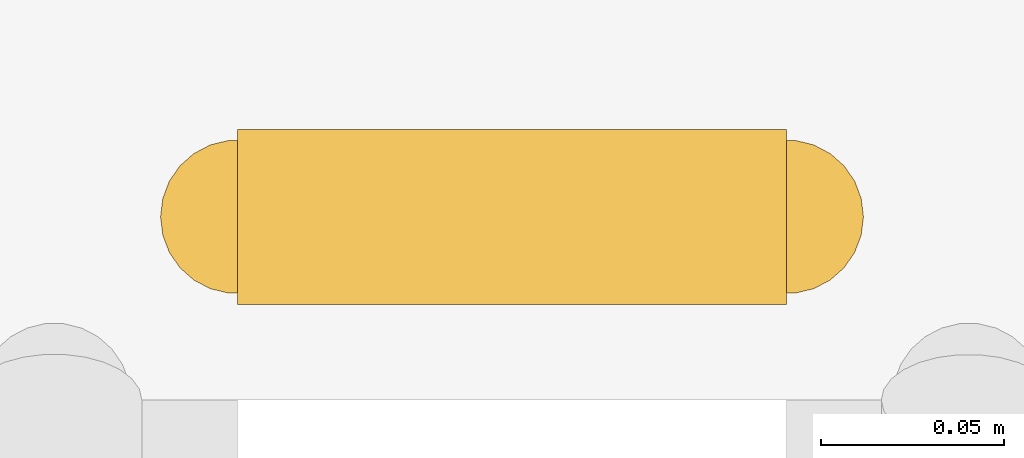
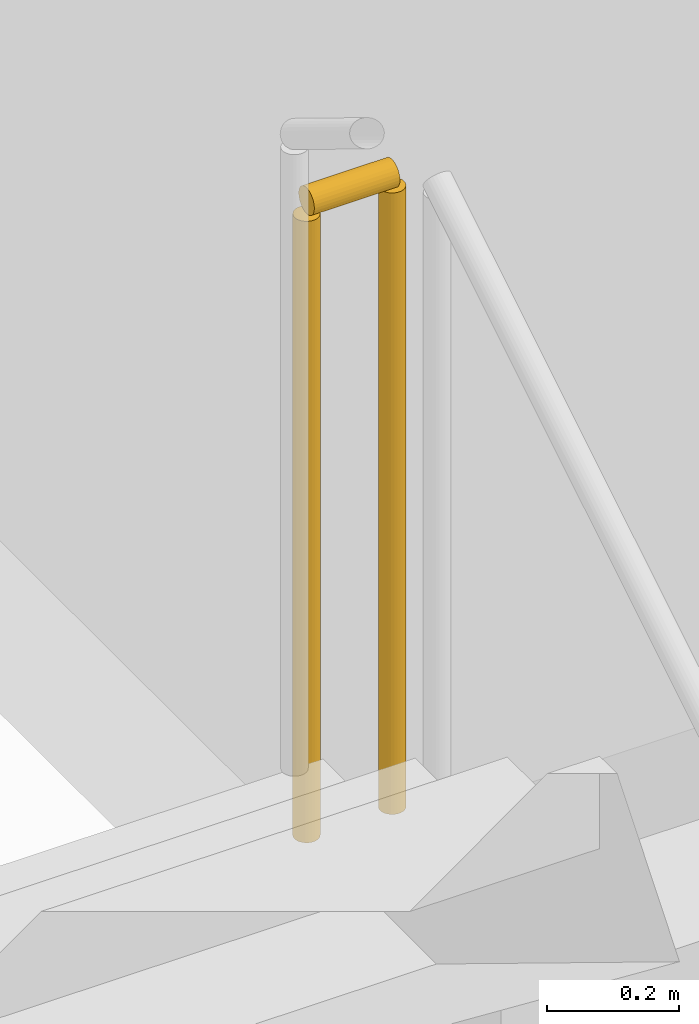
# One storey, part 37 of 38: 1 railing.
"""IFC4 building model written with IfcOpenShell, lengths in metres."""

from ifc_helpers import new_model, si_unit, direction, frame, origin, origin_2d, place, context, subcontext, project, spatial, circle, extrude, source, transform, mapped, material, type_object, element, save


model = new_model("IFC4")

# Units and contexts
model_context = context("Model", 3, precision=1e-05, world=origin(), true_north=direction((0.0, 1.0)))
body_context = subcontext(model_context, "Body", "Model", "MODEL_VIEW")
ifc_project = project(units=[si_unit("LENGTHUNIT", "METRE"), si_unit("AREAUNIT", "SQUARE_METRE"), si_unit("VOLUMEUNIT", "CUBIC_METRE"), si_unit("PLANEANGLEUNIT", "RADIAN"), si_unit("MASSUNIT", "GRAM", prefix="KILO")], contexts=[model_context])

# Site, building, storey
site_placement = place(None, origin())
site = spatial("IfcSite", under=ifc_project, at=site_placement, CompositionType="ELEMENT")
building_placement = place(site_placement, origin())
building = spatial("IfcBuilding", under=site, at=building_placement, Name="Khorayat Bourse Tower", CompositionType="ELEMENT")
storey_placement = place(building_placement, frame((0.0, 0.0, 17.39990234375)))
storey = spatial("IfcBuildingStorey", under=building, at=storey_placement, Name="L03", CompositionType="ELEMENT", Elevation=17.39990234375)

# Railing
ifc_material = material(Name="Powder-coated steel balustrade", Category="steel")
railing_type = type_object("IfcRailingType", Name="RLG-GUARD-1200", PredefinedType="GUARDRAIL", material=ifc_material)
shared_shape = source(origin(), body_context, "Body", "SweptSolid", [
    extrude(circle(Radius=0.02392578125, at=origin_2d()), frame((0.0, 0.0, 1.17578125), z_axis=(-1.0, 0.0, 0.0), x_axis=(0.0, -1.0, 0.0)), (0.0, 0.0, 1.0), 0.150146484375),
    extrude(circle(Radius=0.02099609375, at=origin_2d()), origin(), (0.0, 0.0, 1.0), 1.15185546875),
    extrude(circle(Radius=0.02099609375, at=origin_2d()), frame((-0.150146484375, 0.0, 0.0)), (0.0, 0.0, 1.0), 1.15185546875),
])
railing_placement = place(storey_placement, frame((-6.64990234375, 6.5400390625, 2.400146484375)))
element("IfcRailing", 1, at=railing_placement, inside=storey, type_object=railing_type, Name="L03 ST-2 stair guard 2", PredefinedType="GUARDRAIL", context=body_context, shape_type="MappedRepresentation", body=[
    mapped(shared_shape, transform((0.0, 0.0, 0.0), scale=1.0)),
])

save(model, "model.ifc")
